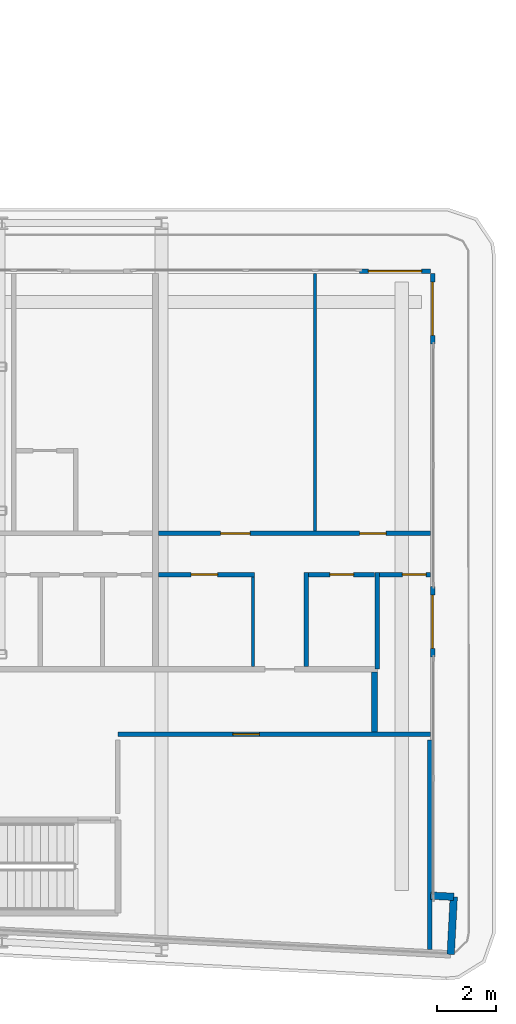
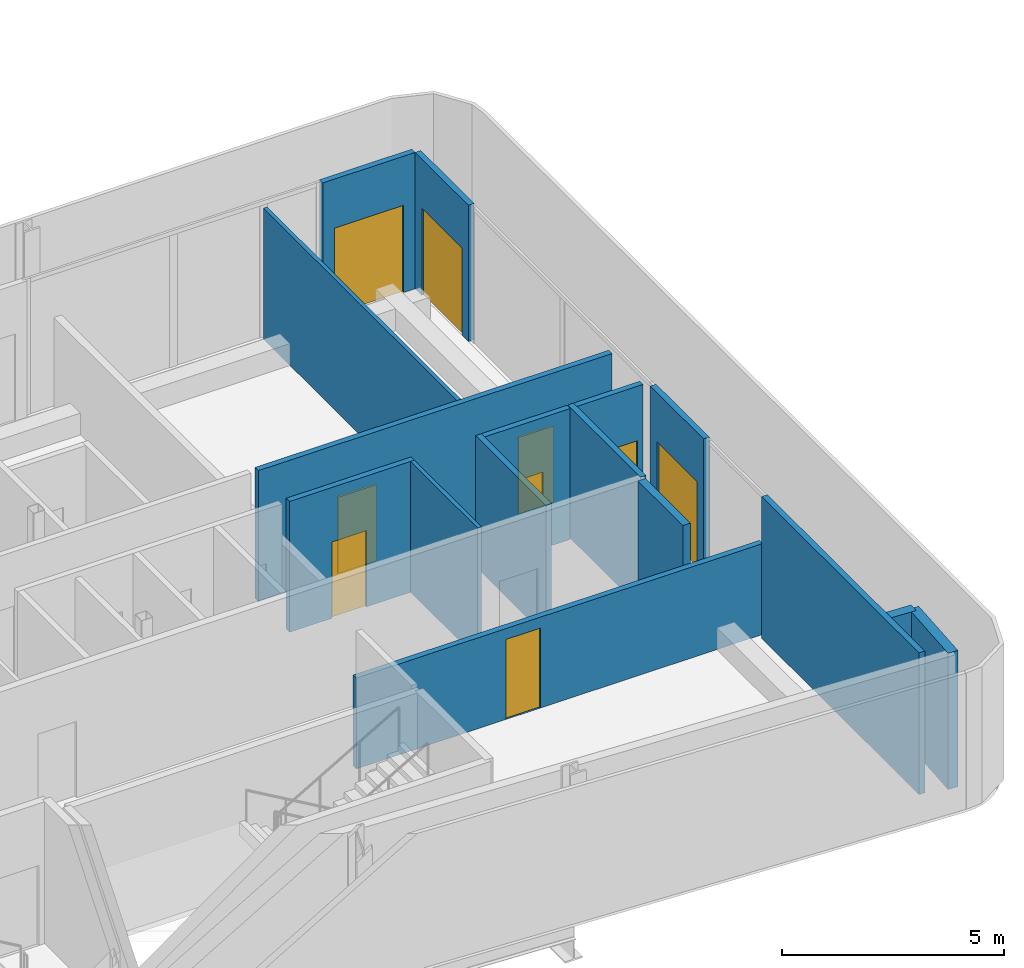
# One storey, part 19 of 28: 16 walls, 9 doors, 9 openings.
"""IFC4 building model written with IfcOpenShell, lengths in metres."""

from ifc_helpers import new_model, si_unit, direction, frame, frame_2d, origin, place, context, subcontext, project, spatial, rectangle, extrude, source, transform, mapped, material, layer, layer_set, type_object, element, fill, save


model = new_model("IFC4")

# Units and contexts
model_context = context("Model", 3, precision=1e-05, world=origin(), true_north=direction((0.0, 1.0)))
body_context = subcontext(model_context, "Body", "Model", "MODEL_VIEW")
ifc_project = project(units=[si_unit("LENGTHUNIT", "METRE"), si_unit("AREAUNIT", "SQUARE_METRE"), si_unit("VOLUMEUNIT", "CUBIC_METRE"), si_unit("PLANEANGLEUNIT", "RADIAN"), si_unit("MASSUNIT", "GRAM", prefix="KILO")], contexts=[model_context])

# Site, building, storey
site_placement = place(None, origin())
site = spatial("IfcSite", under=ifc_project, at=site_placement, CompositionType="ELEMENT")
building_placement = place(site_placement, origin())
building = spatial("IfcBuilding", under=site, at=building_placement, Name="Kheshtan School and Residences Tower", CompositionType="ELEMENT")
storey_placement = place(building_placement, frame((0.0, 0.0, 191.60009765625)))
storey = spatial("IfcBuildingStorey", under=building, at=storey_placement, Name="L45", CompositionType="ELEMENT", Elevation=191.60009765625)

# Walls
ifc_material_1 = material(Name="Gypsum board on steel studs with fire boards", Category="steel")
ifc_layer_1 = layer(ifc_material_1, 0.199951171875)
ifc_layer_set_1 = layer_set([ifc_layer_1], Name="Corridor wall 200")
wall_type_1 = type_object("IfcWallType", Name="Corridor wall 200", PredefinedType="PARTITIONING", material=ifc_layer_set_1)
wall_1_placement = place(storey_placement, frame((98.0, 28.3740234375, 0.0), z_axis=(0.0, 0.0, 1.0), x_axis=(0.0, 1.0, 0.0)))
element("IfcWall", 1, at=wall_1_placement, inside=storey, type_object=wall_type_1, Name="Partition L45-077", PredefinedType="PARTITIONING", context=body_context, shape_type="SweptSolid", body=[
    extrude(rectangle(XDim=2.02587890625, YDim=0.199951171875, at=frame_2d((1.012939453125, 0.0))), origin(), (0.0, 0.0, 1.0), 3.599853515625),
])
ifc_material_2 = material(Name="Concrete C40/50 with ceramic cladding and mineral wool insulation", Category="concrete")
ifc_layer_2 = layer(ifc_material_2, 0.25)
ifc_layer_set_2 = layer_set([ifc_layer_2], Name="External wall 250 ceramic clad")
wall_type_2 = type_object("IfcWallType", Name="External wall 250 ceramic clad", PredefinedType="SOLIDWALL", material=ifc_layer_set_2)
wall_2_placement = place(storey_placement, frame((99.906982421875, 22.839111328125, 0.0), z_axis=(0.0, 0.0, 1.0), x_axis=(0.998561284263, -0.053622398031, 0.0)))
element("IfcWall", 2, at=wall_2_placement, inside=storey, type_object=wall_type_2, Name="External wall L45 14", PredefinedType="SOLIDWALL", context=body_context, shape_type="SweptSolid", body=[
    extrude(rectangle(XDim=0.783203125, YDim=0.25, at=frame_2d((0.3916015625, 0.0))), origin(), (0.0, 0.0, 1.0), 3.75),
])
wall_3_placement = place(storey_placement, frame((100.68896484375, 22.797119140625, 0.0), z_axis=(0.0, 0.0, 1.0), x_axis=(-0.052841433274, -0.998602915542, 0.0)))
element("IfcWall", 3, at=wall_3_placement, inside=storey, type_object=wall_type_2, Name="External wall L45 15", PredefinedType="SOLIDWALL", context=body_context, shape_type="SweptSolid", body=[
    extrude(rectangle(XDim=1.94970703125, YDim=0.25, at=frame_2d((0.974853515625, 0.0))), origin(), (0.0, 0.0, 1.0), 3.75),
])

# Wall, opening, door
ifc_material_3 = material(Name="Aluminium frame wall with insulated infill", Category="aluminium")
ifc_layer_3 = layer(ifc_material_3, 0.14990234375)
ifc_layer_set_3 = layer_set([ifc_layer_3], Name="Glazing frame wall 150")
wall_type_3 = type_object("IfcWallType", Name="Glazing frame wall 150", PredefinedType="SOLIDWALL", material=ifc_layer_set_3)
wall_4_placement = place(storey_placement, frame((97.5, 43.97509765625, 0.0), z_axis=(0.0, 0.0, 1.0), x_axis=(1.0, 0.0, 0.0)))
wall_4 = element("IfcWall", 4, at=wall_4_placement, inside=storey, type_object=wall_type_3, Name="Balcony door wall L45 12.5", PredefinedType="SOLIDWALL", context=body_context, shape_type="SweptSolid", body=[
    extrude(rectangle(XDim=2.39990234375, YDim=0.14990234375, at=frame_2d((1.199951171875, 0.0))), origin(), (0.0, 0.0, 1.0), 3.75),
])
opening_1_placement = place(wall_4_placement, frame((0.300048828125, 0.0, 0.0)))
opening_1 = element("IfcOpeningElement", 5, at=opening_1_placement, cuts=wall_4, Name="Opening BD", PredefinedType="OPENING", context=body_context, shape_type="SweptSolid", body=[
    extrude(rectangle(XDim=1.800048828125, YDim=2.39990234375, at=frame_2d((0.89990234375, 1.199951171875))), frame((0.0, 0.0849609375, 0.0), z_axis=(0.0, -1.0, 0.0), x_axis=(1.0, 0.0, 0.0)), (0.0, 0.0, 1.0), 0.169921875),
])
ifc_material_4 = material(Name="Clear low-e glass in thermally broken aluminium frame", Category="aluminium")
door_type_1 = type_object("IfcDoorType", Name="Balcony sliding door", OperationType="SLIDING_TO_LEFT", PredefinedType="DOOR", material=ifc_material_4)
shared_shape_1 = source(origin(), body_context, "Body", "SweptSolid", [
    extrude(rectangle(XDim=1.800048828125, YDim=2.39990234375, at=frame_2d((0.89990234375, 1.199951171875))), frame((0.0, 0.02490234375, 0.0), z_axis=(0.0, -1.0, 0.0), x_axis=(1.0, 0.0, 0.0)), (0.0, 0.0, 1.0), 0.050048828125),
])
door_1_placement = place(opening_1_placement, origin())
door_1 = element("IfcDoor", 6, at=door_1_placement, inside=storey, type_object=door_type_1, Name="Balcony door L45 12.5", OperationType="SLIDING_TO_LEFT", OverallHeight=2.39990234375, OverallWidth=1.800048828125, PredefinedType="DOOR", context=body_context, shape_type="MappedRepresentation", body=[
    mapped(shared_shape_1, transform((0.0, 0.0, 0.0), x_axis=(1.0, 0.0, 0.0), y_axis=(0.0, 1.0, 0.0), z_axis=(0.0, 0.0, 1.0), scale=1.0)),
])
fill(opening_1, door_1)

wall_5_placement = place(storey_placement, frame((99.97509765625, 43.89990234375, 0.0), z_axis=(0.0, 0.0, 1.0), x_axis=(0.0, -1.0, 0.0)))
wall_5 = element("IfcWall", 7, at=wall_5_placement, inside=storey, type_object=wall_type_3, Name="Balcony door wall L45 13.1", PredefinedType="SOLIDWALL", context=body_context, shape_type="SweptSolid", body=[
    extrude(rectangle(XDim=2.39990234375, YDim=0.14990234375, at=frame_2d((1.199951171875, 0.0))), origin(), (0.0, 0.0, 1.0), 3.75),
])
opening_2_placement = place(wall_5_placement, frame((0.300048828125, 0.0, 0.0)))
opening_2 = element("IfcOpeningElement", 8, at=opening_2_placement, cuts=wall_5, Name="Opening BD", PredefinedType="OPENING", context=body_context, shape_type="SweptSolid", body=[
    extrude(rectangle(XDim=1.800048828125, YDim=2.39990234375, at=frame_2d((0.89990234375, 1.199951171875))), frame((0.0, 0.0849609375, 0.0), z_axis=(0.0, -1.0, 0.0), x_axis=(1.0, 0.0, 0.0)), (0.0, 0.0, 1.0), 0.169921875),
])
door_2_placement = place(opening_2_placement, origin())
door_2 = element("IfcDoor", 9, at=door_2_placement, inside=storey, type_object=door_type_1, Name="Balcony door L45 13.1", OperationType="SLIDING_TO_LEFT", OverallHeight=2.39990234375, OverallWidth=1.800048828125, PredefinedType="DOOR", context=body_context, shape_type="MappedRepresentation", body=[
    mapped(shared_shape_1, transform((0.0, 0.0, 0.0), x_axis=(1.0, 0.0, 0.0), y_axis=(0.0, 1.0, 0.0), z_axis=(0.0, 0.0, 1.0), scale=1.0)),
])
fill(opening_2, door_2)

wall_6_placement = place(storey_placement, frame((99.97509765625, 33.306884765625, 0.0), z_axis=(0.0, 0.0, 1.0), x_axis=(0.0, -1.0, 0.0)))
wall_6 = element("IfcWall", 10, at=wall_6_placement, inside=storey, type_object=wall_type_3, Name="Balcony door wall L45 13.2", PredefinedType="SOLIDWALL", context=body_context, shape_type="SweptSolid", body=[
    extrude(rectangle(XDim=2.39990234375, YDim=0.14990234375, at=frame_2d((1.199951171875, 0.0))), origin(), (0.0, 0.0, 1.0), 3.75),
])
opening_3_placement = place(wall_6_placement, frame((0.300048828125, 0.0, 0.0)))
opening_3 = element("IfcOpeningElement", 11, at=opening_3_placement, cuts=wall_6, Name="Opening BD", PredefinedType="OPENING", context=body_context, shape_type="SweptSolid", body=[
    extrude(rectangle(XDim=1.800048828125, YDim=2.39990234375, at=frame_2d((0.89990234375, 1.199951171875))), frame((0.0, 0.0849609375, 0.0), z_axis=(0.0, -1.0, 0.0), x_axis=(1.0, 0.0, 0.0)), (0.0, 0.0, 1.0), 0.169921875),
])
door_3_placement = place(opening_3_placement, origin())
door_3 = element("IfcDoor", 12, at=door_3_placement, inside=storey, type_object=door_type_1, Name="Balcony door L45 13.2", OperationType="SLIDING_TO_LEFT", OverallHeight=2.39990234375, OverallWidth=1.800048828125, PredefinedType="DOOR", context=body_context, shape_type="MappedRepresentation", body=[
    mapped(shared_shape_1, transform((0.0, 0.0, 0.0), x_axis=(1.0, 0.0, 0.0), y_axis=(0.0, 1.0, 0.0), z_axis=(0.0, 0.0, 1.0), scale=1.0)),
])
fill(opening_3, door_3)

# Walls
ifc_material_5 = material(Name="Gypsum board on steel studs", Category="steel")
ifc_layer_4 = layer(ifc_material_5, 0.10009765625)
ifc_layer_set_4 = layer_set([ifc_layer_4], Name="Gypsum partition 100")
wall_type_4 = type_object("IfcWallType", Name="Gypsum partition 100", PredefinedType="PARTITIONING", material=ifc_layer_set_4)
wall_7_placement = place(storey_placement, frame((93.89990234375, 30.60009765625, 0.0), z_axis=(0.0, 0.0, 1.0), x_axis=(0.0, 1.0, 0.0)))
element("IfcWall", 13, at=wall_7_placement, inside=storey, type_object=wall_type_4, Name="Partition L45-073", PredefinedType="PARTITIONING", context=body_context, shape_type="SweptSolid", body=[
    extrude(rectangle(XDim=3.02490234375, YDim=0.10009765625, at=frame_2d((1.512451171875, 0.0))), origin(), (0.0, 0.0, 1.0), 3.599853515625),
])
wall_8_placement = place(storey_placement, frame((96.0, 35.175048828125, 0.0), z_axis=(0.0, 0.0, 1.0), x_axis=(0.0, 1.0, 0.0)))
element("IfcWall", 14, at=wall_8_placement, inside=storey, type_object=wall_type_4, Name="Partition L45-076", PredefinedType="PARTITIONING", context=body_context, shape_type="SweptSolid", body=[
    extrude(rectangle(XDim=8.724853515625, YDim=0.10009765625, at=frame_2d((4.3623046875, 0.0))), origin(), (0.0, 0.0, 1.0), 3.599853515625),
])

# Wall, opening, door
ifc_material_6 = material(Name="Fire-board shaft wall system")
ifc_layer_5 = layer(ifc_material_6, 0.14990234375)
ifc_layer_set_5 = layer_set([ifc_layer_5], Name="Service room wall 150")
wall_type_5 = type_object("IfcWallType", Name="Service room wall 150", PredefinedType="PARTITIONING", material=ifc_layer_set_5)
wall_9_placement = place(storey_placement, frame((89.320068359375, 28.300048828125, 0.0), z_axis=(0.0, 0.0, 1.0), x_axis=(1.0, 0.0, 0.0)))
wall_9 = element("IfcWall", 15, at=wall_9_placement, inside=storey, type_object=wall_type_5, Name="Service room wall", PredefinedType="PARTITIONING", context=body_context, shape_type="SweptSolid", body=[
    extrude(rectangle(XDim=10.577880859375, YDim=0.14990234375, at=frame_2d((5.2890625, 0.0))), origin(), (0.0, 0.0, 1.0), 2.5),
])
opening_4_placement = place(wall_9_placement, frame((3.889892578125, 0.0, 0.0)))
opening_4 = element("IfcOpeningElement", 16, at=opening_4_placement, cuts=wall_9, Name="Opening SR90", PredefinedType="OPENING", context=body_context, shape_type="SweptSolid", body=[
    extrude(rectangle(XDim=0.89990234375, YDim=2.199951171875, at=frame_2d((0.449951171875, 1.10009765625))), frame((0.0, 0.0849609375, 0.0), z_axis=(0.0, -1.0, 0.0), x_axis=(1.0, 0.0, 0.0)), (0.0, 0.0, 1.0), 0.169921875),
])
ifc_material_7 = material(Name="Steel door leaf, galvanised", Category="steel")
door_type_2 = type_object("IfcDoorType", Name="Service room door 900 steel 90 min", OperationType="SINGLE_SWING_LEFT", PredefinedType="DOOR", material=ifc_material_7)
shared_shape_2 = source(origin(), body_context, "Body", "SweptSolid", [
    extrude(rectangle(XDim=0.89990234375, YDim=2.199951171875, at=frame_2d((0.449951171875, 1.10009765625))), frame((0.0, 0.02490234375, 0.0), z_axis=(0.0, -1.0, 0.0), x_axis=(1.0, 0.0, 0.0)), (0.0, 0.0, 1.0), 0.050048828125),
])
door_4_placement = place(opening_4_placement, origin())
door_4 = element("IfcDoor", 17, at=door_4_placement, inside=storey, type_object=door_type_2, Name="Service room door", OperationType="SINGLE_SWING_RIGHT", OverallHeight=2.199951171875, OverallWidth=0.89990234375, PredefinedType="DOOR", context=body_context, shape_type="MappedRepresentation", body=[
    mapped(shared_shape_2, transform((0.0, 0.0, 0.0), x_axis=(1.0, 0.0, 0.0), y_axis=(0.0, 1.0, 0.0), z_axis=(0.0, 0.0, 1.0), scale=1.0)),
])
fill(opening_4, door_4)

# Wall
wall_10_placement = place(storey_placement, frame((99.8701171875, 21.014892578125, 0.0), z_axis=(0.0, 0.0, 1.0), x_axis=(0.0, 1.0, 0.0)))
element("IfcWall", 18, at=wall_10_placement, inside=storey, type_object=wall_type_5, Name="Service room wall", PredefinedType="PARTITIONING", context=body_context, shape_type="SweptSolid", body=[
    extrude(rectangle(XDim=7.090087890625, YDim=0.14990234375, at=frame_2d((3.544921875, 0.0))), origin(), (0.0, 0.0, 1.0), 3.89990234375),
])

# Wall, opening, door
ifc_material_8 = material(Name="Moisture-resistant gypsum board on steel studs", Category="steel")
ifc_layer_6 = layer(ifc_material_8, 0.14990234375)
ifc_layer_set_6 = layer_set([ifc_layer_6], Name="Wet-room partition 150")
wall_type_6 = type_object("IfcWallType", Name="Wet-room partition 150", PredefinedType="PARTITIONING", material=ifc_layer_set_6)
wall_11_placement = place(storey_placement, frame((90.699951171875, 33.699951171875, 0.0), z_axis=(0.0, 0.0, 1.0), x_axis=(1.0, 0.0, 0.0)))
wall_11 = element("IfcWall", 19, at=wall_11_placement, inside=storey, type_object=wall_type_6, Name="Partition L45-071", PredefinedType="PARTITIONING", context=body_context, shape_type="SweptSolid", body=[
    extrude(rectangle(XDim=3.25, YDim=0.14990234375, at=frame_2d((1.625, 0.0))), origin(), (0.0, 0.0, 1.0), 3.599853515625),
])
opening_5_placement = place(wall_11_placement, frame((1.10009765625, 0.0, 0.0)))
opening_5 = element("IfcOpeningElement", 20, at=opening_5_placement, cuts=wall_11, Name="Opening D43-031", PredefinedType="OPENING", context=body_context, shape_type="SweptSolid", body=[
    extrude(rectangle(XDim=0.89990234375, YDim=2.10009765625, at=frame_2d((0.449951171875, 1.050048828125))), frame((0.0, 0.0849609375, 0.0), z_axis=(0.0, -1.0, 0.0), x_axis=(1.0, 0.0, 0.0)), (0.0, 0.0, 1.0), 0.169921875),
])
ifc_material_9 = material(Name="Veneered timber door leaf", Category="wood")
door_type_3 = type_object("IfcDoorType", Name="Door 900 x 2100", OperationType="SINGLE_SWING_LEFT", PredefinedType="DOOR", material=ifc_material_9)
shared_shape_3 = source(origin(), body_context, "Body", "SweptSolid", [
    extrude(rectangle(XDim=0.89990234375, YDim=2.10009765625, at=frame_2d((0.449951171875, 1.050048828125))), frame((0.0, 0.02490234375, 0.0), z_axis=(0.0, -1.0, 0.0), x_axis=(1.0, 0.0, 0.0)), (0.0, 0.0, 1.0), 0.050048828125),
])
door_5_placement = place(opening_5_placement, origin())
door_5 = element("IfcDoor", 21, at=door_5_placement, inside=storey, type_object=door_type_3, Name="Door D43-031", OperationType="SINGLE_SWING_RIGHT", OverallHeight=2.10009765625, OverallWidth=0.89990234375, PredefinedType="DOOR", context=body_context, shape_type="MappedRepresentation", body=[
    mapped(shared_shape_3, transform((0.0, 0.0, 0.0), x_axis=(1.0, 0.0, 0.0), y_axis=(0.0, 1.0, 0.0), z_axis=(0.0, 0.0, 1.0), scale=1.0)),
])
fill(opening_5, door_5)

# Wall, openings, doors
wall_12_placement = place(storey_placement, frame((90.699951171875, 35.10009765625, 0.0), z_axis=(0.0, 0.0, 1.0), x_axis=(1.0, 0.0, 0.0)))
wall_12 = element("IfcWall", 22, at=wall_12_placement, inside=storey, type_object=wall_type_6, Name="Partition L45-072", PredefinedType="PARTITIONING", context=body_context, shape_type="SweptSolid", body=[
    extrude(rectangle(XDim=9.199951171875, YDim=0.14990234375, at=frame_2d((4.60009765625, 0.0))), origin(), (0.0, 0.0, 1.0), 3.599853515625),
])
opening_6_placement = place(wall_12_placement, frame((6.800048828125, 0.0, 0.0)))
opening_6 = element("IfcOpeningElement", 23, at=opening_6_placement, cuts=wall_12, Name="Opening D43-029", PredefinedType="OPENING", context=body_context, shape_type="SweptSolid", body=[
    extrude(rectangle(XDim=0.89990234375, YDim=2.10009765625, at=frame_2d((0.449951171875, 1.050048828125))), frame((0.0, 0.0849609375, 0.0), z_axis=(0.0, -1.0, 0.0), x_axis=(1.0, 0.0, 0.0)), (0.0, 0.0, 1.0), 0.169921875),
])
opening_7_placement = place(wall_12_placement, frame((2.10009765625, 0.0, 0.0)))
opening_7 = element("IfcOpeningElement", 24, at=opening_7_placement, cuts=wall_12, Name="Opening D43-032", PredefinedType="OPENING", context=body_context, shape_type="SweptSolid", body=[
    extrude(rectangle(XDim=1.0, YDim=2.10009765625, at=frame_2d((0.5, 1.050048828125))), frame((0.0, 0.0849609375, 0.0), z_axis=(0.0, -1.0, 0.0), x_axis=(1.0, 0.0, 0.0)), (0.0, 0.0, 1.0), 0.169921875),
])
door_type_4 = type_object("IfcDoorType", Name="Door 1000 x 2100", OperationType="SINGLE_SWING_LEFT", PredefinedType="DOOR", material=ifc_material_9)
shared_shape_4 = source(origin(), body_context, "Body", "SweptSolid", [
    extrude(rectangle(XDim=1.0, YDim=2.10009765625, at=frame_2d((0.5, 1.050048828125))), frame((0.0, 0.02490234375, 0.0), z_axis=(0.0, -1.0, 0.0), x_axis=(1.0, 0.0, 0.0)), (0.0, 0.0, 1.0), 0.050048828125),
])
door_6_placement = place(opening_7_placement, origin())
door_6 = element("IfcDoor", 25, at=door_6_placement, inside=storey, type_object=door_type_4, Name="Door D43-032", OperationType="SINGLE_SWING_RIGHT", OverallHeight=2.10009765625, OverallWidth=1.0, PredefinedType="DOOR", context=body_context, shape_type="MappedRepresentation", body=[
    mapped(shared_shape_4, transform((0.0, 0.0, 0.0), x_axis=(1.0, 0.0, 0.0), y_axis=(0.0, 1.0, 0.0), z_axis=(0.0, 0.0, 1.0), scale=1.0)),
])
fill(opening_7, door_6)
door_7_placement = place(opening_6_placement, origin())
door_7 = element("IfcDoor", 26, at=door_7_placement, inside=storey, type_object=door_type_3, Name="Door D43-029", OperationType="SINGLE_SWING_LEFT", OverallHeight=2.10009765625, OverallWidth=0.89990234375, PredefinedType="DOOR", context=body_context, shape_type="MappedRepresentation", body=[
    mapped(shared_shape_3, transform((0.0, 0.0, 0.0), x_axis=(1.0, 0.0, 0.0), y_axis=(0.0, 1.0, 0.0), z_axis=(0.0, 0.0, 1.0), scale=1.0)),
])
fill(opening_6, door_7)

# Wall
wall_13_placement = place(storey_placement, frame((95.699951171875, 30.60009765625, 0.0), z_axis=(0.0, 0.0, 1.0), x_axis=(0.0, 1.0, 0.0)))
element("IfcWall", 27, at=wall_13_placement, inside=storey, type_object=wall_type_6, Name="Partition L45-074", PredefinedType="PARTITIONING", context=body_context, shape_type="SweptSolid", body=[
    extrude(rectangle(XDim=3.1748046875, YDim=0.14990234375, at=frame_2d((1.58740234375, 0.0))), origin(), (0.0, 0.0, 1.0), 3.599853515625),
])

# Wall, opening, door
wall_14_placement = place(storey_placement, frame((95.77490234375, 33.699951171875, 0.0), z_axis=(0.0, 0.0, 1.0), x_axis=(1.0, 0.0, 0.0)))
wall_14 = element("IfcWall", 28, at=wall_14_placement, inside=storey, type_object=wall_type_6, Name="Partition L45-075", PredefinedType="PARTITIONING", context=body_context, shape_type="SweptSolid", body=[
    extrude(rectangle(XDim=2.22509765625, YDim=0.14990234375, at=frame_2d((1.112548828125, 0.0))), origin(), (0.0, 0.0, 1.0), 3.599853515625),
])
opening_8_placement = place(wall_14_placement, frame((0.72509765625, 0.0, 0.0)))
opening_8 = element("IfcOpeningElement", 29, at=opening_8_placement, cuts=wall_14, Name="Opening D43-028", PredefinedType="OPENING", context=body_context, shape_type="SweptSolid", body=[
    extrude(rectangle(XDim=0.800048828125, YDim=2.10009765625, at=frame_2d((0.39990234375, 1.050048828125))), frame((0.0, 0.0849609375, 0.0), z_axis=(0.0, -1.0, 0.0), x_axis=(1.0, 0.0, 0.0)), (0.0, 0.0, 1.0), 0.169921875),
])
door_type_5 = type_object("IfcDoorType", Name="Door 800 x 2100", OperationType="SINGLE_SWING_LEFT", PredefinedType="DOOR", material=ifc_material_9)
shared_shape_5 = source(origin(), body_context, "Body", "SweptSolid", [
    extrude(rectangle(XDim=0.800048828125, YDim=2.10009765625, at=frame_2d((0.39990234375, 1.050048828125))), frame((0.0, 0.02490234375, 0.0), z_axis=(0.0, -1.0, 0.0), x_axis=(1.0, 0.0, 0.0)), (0.0, 0.0, 1.0), 0.050048828125),
])
door_8_placement = place(opening_8_placement, origin())
door_8 = element("IfcDoor", 30, at=door_8_placement, inside=storey, type_object=door_type_5, Name="Door D43-028", OperationType="SINGLE_SWING_RIGHT", OverallHeight=2.10009765625, OverallWidth=0.800048828125, PredefinedType="DOOR", context=body_context, shape_type="MappedRepresentation", body=[
    mapped(shared_shape_5, transform((0.0, 0.0, 0.0), x_axis=(1.0, 0.0, 0.0), y_axis=(0.0, 1.0, 0.0), z_axis=(0.0, 0.0, 1.0), scale=1.0)),
])
fill(opening_8, door_8)

# Wall
wall_15_placement = place(storey_placement, frame((98.10009765625, 30.5, 0.0), z_axis=(0.0, 0.0, 1.0), x_axis=(0.0, 1.0, 0.0)))
element("IfcWall", 31, at=wall_15_placement, inside=storey, type_object=wall_type_6, Name="Partition L45-078", PredefinedType="PARTITIONING", context=body_context, shape_type="SweptSolid", body=[
    extrude(rectangle(XDim=3.27490234375, YDim=0.14990234375, at=frame_2d((1.637451171875, 0.0))), origin(), (0.0, 0.0, 1.0), 3.599853515625),
])

# Wall, opening, door
wall_16_placement = place(storey_placement, frame((98.175048828125, 33.699951171875, 0.0), z_axis=(0.0, 0.0, 1.0), x_axis=(1.0, 0.0, 0.0)))
wall_16 = element("IfcWall", 32, at=wall_16_placement, inside=storey, type_object=wall_type_6, Name="Partition L45-079", PredefinedType="PARTITIONING", context=body_context, shape_type="SweptSolid", body=[
    extrude(rectangle(XDim=1.724853515625, YDim=0.14990234375, at=frame_2d((0.8623046875, 0.0))), origin(), (0.0, 0.0, 1.0), 3.599853515625),
])
opening_9_placement = place(wall_16_placement, frame((0.77490234375, 0.0, 0.0)))
opening_9 = element("IfcOpeningElement", 33, at=opening_9_placement, cuts=wall_16, Name="Opening D43-033", PredefinedType="OPENING", context=body_context, shape_type="SweptSolid", body=[
    extrude(rectangle(XDim=0.800048828125, YDim=2.10009765625, at=frame_2d((0.39990234375, 1.050048828125))), frame((0.0, 0.0849609375, 0.0), z_axis=(0.0, -1.0, 0.0), x_axis=(1.0, 0.0, 0.0)), (0.0, 0.0, 1.0), 0.169921875),
])
door_9_placement = place(opening_9_placement, origin())
door_9 = element("IfcDoor", 34, at=door_9_placement, inside=storey, type_object=door_type_5, Name="Door D43-033", OperationType="SINGLE_SWING_RIGHT", OverallHeight=2.10009765625, OverallWidth=0.800048828125, PredefinedType="DOOR", context=body_context, shape_type="MappedRepresentation", body=[
    mapped(shared_shape_5, transform((0.0, 0.0, 0.0), x_axis=(1.0, 0.0, 0.0), y_axis=(0.0, 1.0, 0.0), z_axis=(0.0, 0.0, 1.0), scale=1.0)),
])
fill(opening_9, door_9)

save(model, "model.ifc")
